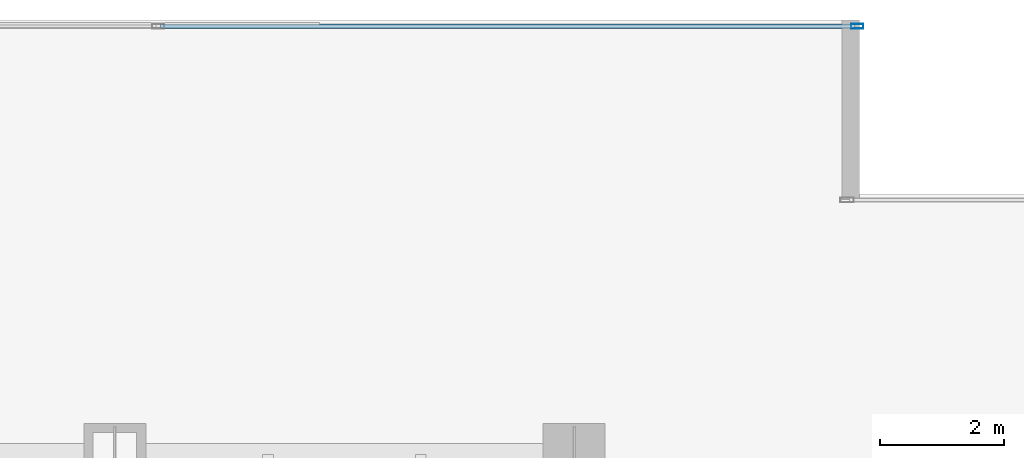
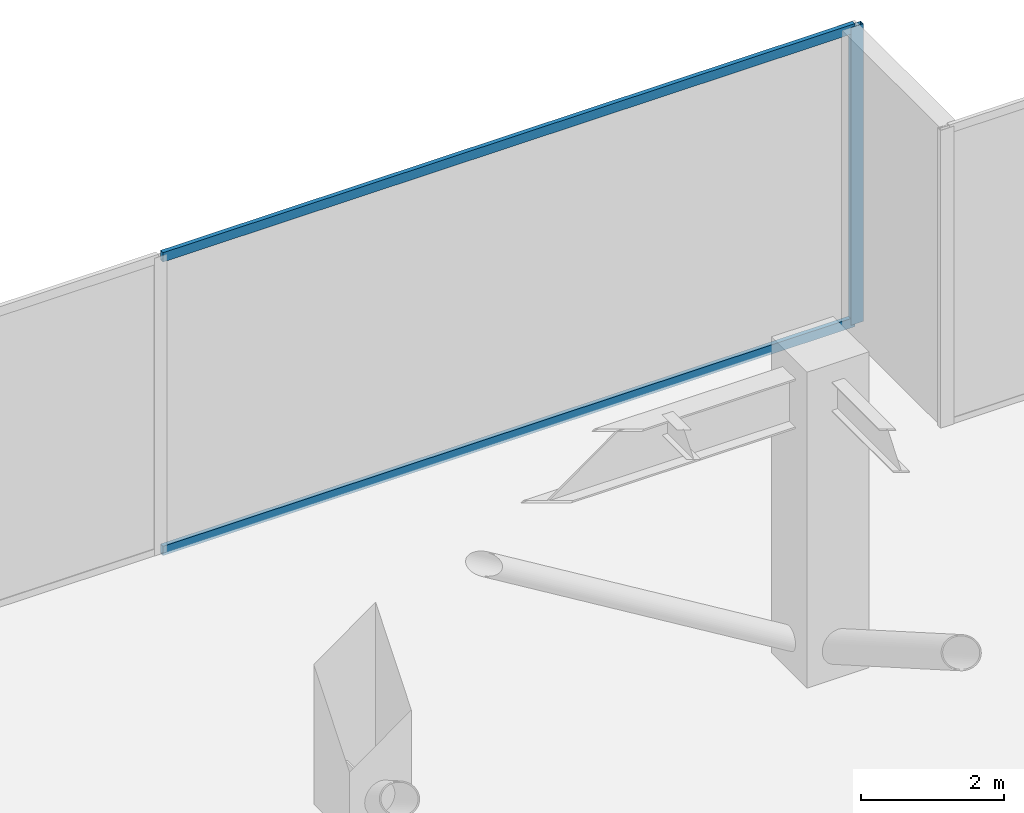
# One storey, part 27 of 38: 3 members, 1 element without a shape of its own.
"""IFC4 building model written with IfcOpenShell, lengths in metres."""

from ifc_helpers import new_model, si_unit, direction, frame, origin, origin_2d, place, context, subcontext, project, spatial, hollow_rectangle, extrude, source, transform, mapped, material, layer, layer_set, material_profile, profile_set, type_object, type_shapes, element, aggregate, save


model = new_model("IFC4")

# Units and contexts
model_context = context("Model", 3, precision=1e-05, world=origin(), true_north=direction((0.0, 1.0)))
body_context = subcontext(model_context, "Body", "Model", "MODEL_VIEW")
ifc_project = project(units=[si_unit("LENGTHUNIT", "METRE"), si_unit("AREAUNIT", "SQUARE_METRE"), si_unit("VOLUMEUNIT", "CUBIC_METRE"), si_unit("PLANEANGLEUNIT", "RADIAN"), si_unit("MASSUNIT", "GRAM", prefix="KILO")], contexts=[model_context])

# Site, building, storey
site_placement = place(None, origin())
site = spatial("IfcSite", under=ifc_project, at=site_placement, CompositionType="ELEMENT")
building_placement = place(site_placement, origin())
building = spatial("IfcBuilding", under=site, at=building_placement, Name="Haelvirn Gate Laboratories", CompositionType="ELEMENT")
storey_placement = place(building_placement, frame((0.0, 0.0, 94.89990234375)))
storey = spatial("IfcBuildingStorey", under=building, at=storey_placement, Name="L23", CompositionType="ELEMENT", Elevation=94.89990234375)

# Curtain wall, members
ifc_material_1 = material(Name="Anodised bronze unitised aluminium & triple low-E glass", Category="aluminium")
ifc_layer = layer(ifc_material_1, 0.18408203125, Name="CW-SYS-2")
ifc_layer_set = layer_set([ifc_layer], Name="Anodised bronze unitised aluminium & triple low-E glass")
curtain_wall_type = type_object("IfcCurtainWallType", Name="CW-SYS-2", PredefinedType="NOTDEFINED", material=ifc_layer_set)
curtain_wall_placement = place(storey_placement, origin())
curtain_wall = element("IfcCurtainWall", 1, at=curtain_wall_placement, inside=storey, type_object=curtain_wall_type, Name="L23 Unitised Curtain Wall CW-L23-P0-E10-1", PredefinedType="NOTDEFINED")
ifc_material_2 = material(Name="Extruded aluminium 6063-T6 (anodised bronze)", Category="aluminium")
ifc_material_profile_1 = material_profile(ifc_material_2, hollow_rectangle(XDim=0.070068359375, YDim=0.159912109375, WallThickness=0.0048828125, at=origin_2d()), Name="CWT-160x70x5")
ifc_profile_set_1 = profile_set([ifc_material_profile_1], Name="Extruded aluminium 6063-T6 (anodised bronze)")
member_type_1 = type_object("IfcMemberType", Name="CWT-T160", PredefinedType="USERDEFINED", material=ifc_profile_set_1)
shared_shape_1 = source(origin(), body_context, "Body", "SweptSolid", [
    extrude(hollow_rectangle(XDim=0.070068359375, YDim=0.159912109375, WallThickness=0.0048828125, at=origin_2d()), origin(), (0.0, 0.0, 1.0), 11.1875),
])
type_shapes(member_type_1, [shared_shape_1])
member_1_placement = place(storey_placement, frame((60.737548828125, 48.5, 0.03515625), z_axis=(1.0, 0.0, 0.0), x_axis=(0.0, 1.0, 0.0)))
member_1 = element("IfcMember", 2, at=member_1_placement, type_object=member_type_1, Name="CW2 transom 2.1", ObjectType="TRANSOM", PredefinedType="USERDEFINED", context=body_context, shape_type="MappedRepresentation", body=[
    mapped(shared_shape_1, transform((0.0, 0.0, 0.0), scale=1.0)),
])
member_2_placement = place(storey_placement, frame((60.737548828125, 48.5, 5.05517578125), z_axis=(1.0, 0.0, 0.0), x_axis=(0.0, 1.0, 0.0)))
member_2 = element("IfcMember", 3, at=member_2_placement, type_object=member_type_1, Name="CW2 transom 2.2", ObjectType="TRANSOM", PredefinedType="USERDEFINED", context=body_context, shape_type="MappedRepresentation", body=[
    mapped(shared_shape_1, transform((0.0, 0.0, 0.0), scale=1.0)),
])
ifc_material_profile_2 = material_profile(ifc_material_2, hollow_rectangle(XDim=0.074951171875, YDim=0.199951171875, WallThickness=0.0048828125, at=origin_2d()), Name="CWM-200x75x5")
ifc_profile_set_2 = profile_set([ifc_material_profile_2], Name="Extruded aluminium 6063-T6 (anodised bronze)")
member_type_2 = type_object("IfcMemberType", Name="CWM-T200", PredefinedType="MULLION", material=ifc_profile_set_2)
shared_shape_2 = source(origin(), body_context, "Body", "SweptSolid", [
    extrude(hollow_rectangle(XDim=0.074951171875, YDim=0.199951171875, WallThickness=0.0048828125, at=origin_2d()), origin(), (0.0, 0.0, 1.0), 5.090087890625),
])
type_shapes(member_type_2, [shared_shape_2])
member_3_placement = place(storey_placement, frame((71.96240234375, 48.5, 0.0), z_axis=(0.0, 0.0, 1.0), x_axis=(0.0, 1.0, 0.0)))
member_3 = element("IfcMember", 4, at=member_3_placement, type_object=member_type_2, Name="CW2 mullion 3", PredefinedType="MULLION", context=body_context, shape_type="MappedRepresentation", body=[
    mapped(shared_shape_2, transform((0.0, 0.0, 0.0), scale=1.0)),
])
aggregate(curtain_wall, [member_3, member_1, member_2])

save(model, "model.ifc")
